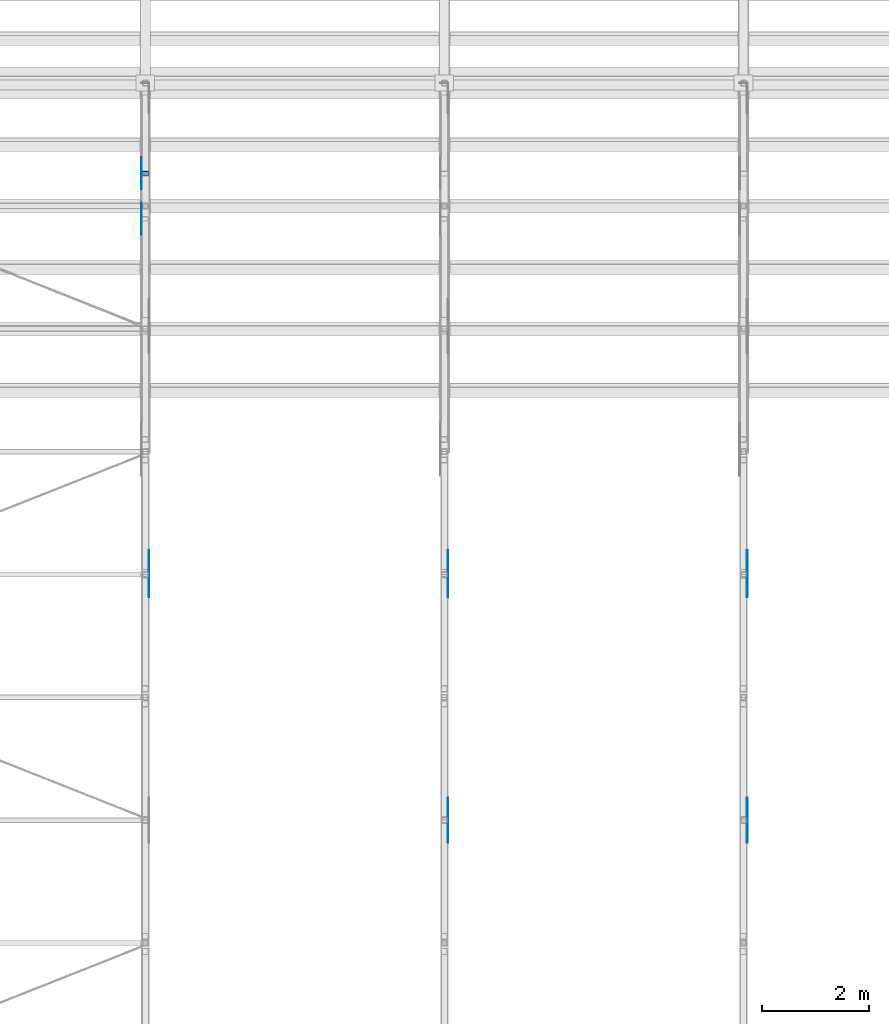
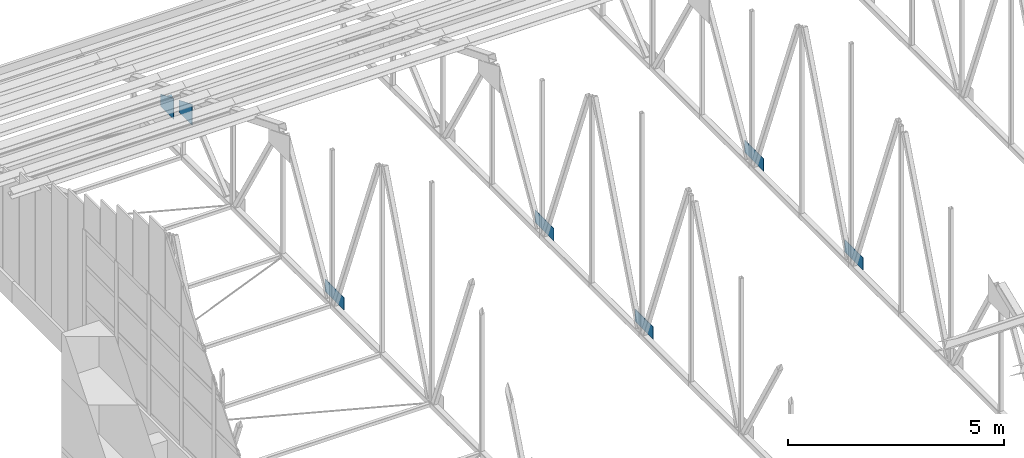
# One storey, part 55 of 71: 8 discrete accessories.
"""IFC4 building model written with IfcOpenShell, lengths in metres."""

from ifc_helpers import new_model, si_unit, direction, frame, origin, origin_2d, place, context, subcontext, project, spatial, polyline, rectangle, outline, extrude, element, save


model = new_model("IFC4")

# Units and contexts
model_context = context("Model", 3, precision=1e-05, world=origin(), true_north=direction((0.0, 1.0)))
body_context = subcontext(model_context, "Body", "Model", "MODEL_VIEW")
ifc_project = project(units=[si_unit("LENGTHUNIT", "METRE"), si_unit("AREAUNIT", "SQUARE_METRE"), si_unit("VOLUMEUNIT", "CUBIC_METRE"), si_unit("PLANEANGLEUNIT", "RADIAN"), si_unit("MASSUNIT", "GRAM", prefix="KILO")], contexts=[model_context])

# Site, building, storey
site_placement = place(None, origin())
site = spatial("IfcSite", under=ifc_project, at=site_placement, CompositionType="ELEMENT")
building_placement = place(site_placement, origin())
building = spatial("IfcBuilding", under=site, at=building_placement, Name="Wasatch Bagh Community Centre", CompositionType="ELEMENT")
storey_placement = place(building_placement, frame((0.0, 0.0, 12.60009765625)))
storey = spatial("IfcBuildingStorey", under=building, at=storey_placement, Name="L03", CompositionType="ELEMENT", Elevation=12.60009765625)

# Discrete accessories
discrete_accessory_1_placement = place(storey_placement, frame((117.800048828125, 64.114990234375, 1.971923828125), z_axis=(0.0, -0.774865020772, 0.632126727472), x_axis=(1.0, 0.0, 0.0)))
element("IfcDiscreteAccessory", 1, at=discrete_accessory_1_placement, inside=storey, Name="SH.SA2.WB12.EPB", PredefinedType="NOTDEFINED", context=body_context, shape_type="SweptSolid", body=[
    extrude(rectangle(XDim=0.126953125, YDim=0.126953125, at=origin_2d()), origin(), (0.0, 0.0, 1.0), 0.011962890625),
])
discrete_accessory_2_placement = place(storey_placement, frame((117.8759765625, 56.175048828125, 0.7626953125), z_axis=(1.0, 0.0, 0.0), x_axis=(0.0, 1.0, 0.0)))
element("IfcDiscreteAccessory", 2, at=discrete_accessory_2_placement, inside=storey, Name="Gusset plate", PredefinedType="BRACKET", context=body_context, shape_type="SweptSolid", body=[
    extrude(outline(polyline([(0.0, 0.0), (0.877197265625, 0.0), (0.877197265625, 0.35009765625), (0.0, 0.35009765625), (0.0, 0.0)])), origin(), (0.0, 0.0, -1.0), 0.011962890625),
])
discrete_accessory_3_placement = place(storey_placement, frame((117.72412109375, 62.958740234375, 2.508056640625), z_axis=(-1.0, 0.0, 0.0), x_axis=(0.0, 0.925978809353, -0.377575482028)))
element("IfcDiscreteAccessory", 3, at=discrete_accessory_3_placement, inside=storey, Name="Gusset plate", PredefinedType="BRACKET", context=body_context, shape_type="SweptSolid", body=[
    extrude(outline(polyline([(0.0, 0.0), (0.5845271621312353, -2.7755575615628914e-17), (0.6477253398659776, -0.00019486601058962827), (0.7799136311813485, 0.3239881448811994), (0.22446198699646316, 0.5504781251893349), (0.0, 0.0)])), origin(), (0.0, 0.0, -1.0), 0.011962890625),
])
discrete_accessory_4_placement = place(storey_placement, frame((117.72412109375, 63.81494140625, 2.1591796875), z_axis=(-1.0, 0.0, 0.0), x_axis=(0.0, 0.926014333695, -0.377488349212)))
element("IfcDiscreteAccessory", 4, at=discrete_accessory_4_placement, inside=storey, Name="Gusset plate", PredefinedType="BRACKET", context=body_context, shape_type="SweptSolid", body=[
    extrude(outline(polyline([(0.0, 0.0), (0.6480435932943203, -2.7755575615628914e-17), (0.7801092193735699, 0.3239693701624707), (0.22441018806906693, 0.5504992437861941), (0.0, 0.0)])), origin(), (0.0, 0.0, -1.0), 0.011962890625),
])
discrete_accessory_5_placement = place(storey_placement, frame((123.47607421875, 51.57568359375, 0.7626953125), z_axis=(1.0, 0.0, 0.0), x_axis=(0.0, 1.0, 0.0)))
element("IfcDiscreteAccessory", 5, at=discrete_accessory_5_placement, inside=storey, Name="Gusset plate", PredefinedType="BRACKET", context=body_context, shape_type="SweptSolid", body=[
    extrude(outline(polyline([(0.0, 0.0), (0.8486328125, 0.0), (0.8486328125, 0.35009765625), (0.0, 0.35009765625), (0.0, 0.0)])), origin(), (0.0, 0.0, -1.0), 0.011962890625),
])
discrete_accessory_6_placement = place(storey_placement, frame((123.47607421875, 56.175048828125, 0.7626953125), z_axis=(1.0, 0.0, 0.0), x_axis=(0.0, 1.0, 0.0)))
element("IfcDiscreteAccessory", 6, at=discrete_accessory_6_placement, inside=storey, Name="Gusset plate", PredefinedType="BRACKET", context=body_context, shape_type="SweptSolid", body=[
    extrude(outline(polyline([(0.0, 0.0), (0.877197265625, 0.0), (0.877197265625, 0.35009765625), (0.0, 0.35009765625), (0.0, 0.0)])), origin(), (0.0, 0.0, -1.0), 0.011962890625),
])
discrete_accessory_7_placement = place(storey_placement, frame((129.075927734375, 51.57568359375, 0.7626953125), z_axis=(1.0, 0.0, 0.0), x_axis=(0.0, 1.0, 0.0)))
element("IfcDiscreteAccessory", 7, at=discrete_accessory_7_placement, inside=storey, Name="Gusset plate", PredefinedType="BRACKET", context=body_context, shape_type="SweptSolid", body=[
    extrude(outline(polyline([(0.0, 0.0), (0.8486328125, 0.0), (0.8486328125, 0.35009765625), (0.0, 0.35009765625), (0.0, 0.0)])), origin(), (0.0, 0.0, -1.0), 0.011962890625),
])
discrete_accessory_8_placement = place(storey_placement, frame((129.075927734375, 56.175048828125, 0.7626953125), z_axis=(1.0, 0.0, 0.0), x_axis=(0.0, 1.0, 0.0)))
element("IfcDiscreteAccessory", 8, at=discrete_accessory_8_placement, inside=storey, Name="Gusset plate", PredefinedType="BRACKET", context=body_context, shape_type="SweptSolid", body=[
    extrude(outline(polyline([(0.0, 0.0), (0.877197265625, 0.0), (0.877197265625, 0.35009765625), (0.0, 0.35009765625), (0.0, 0.0)])), origin(), (0.0, 0.0, -1.0), 0.011962890625),
])

save(model, "model.ifc")
